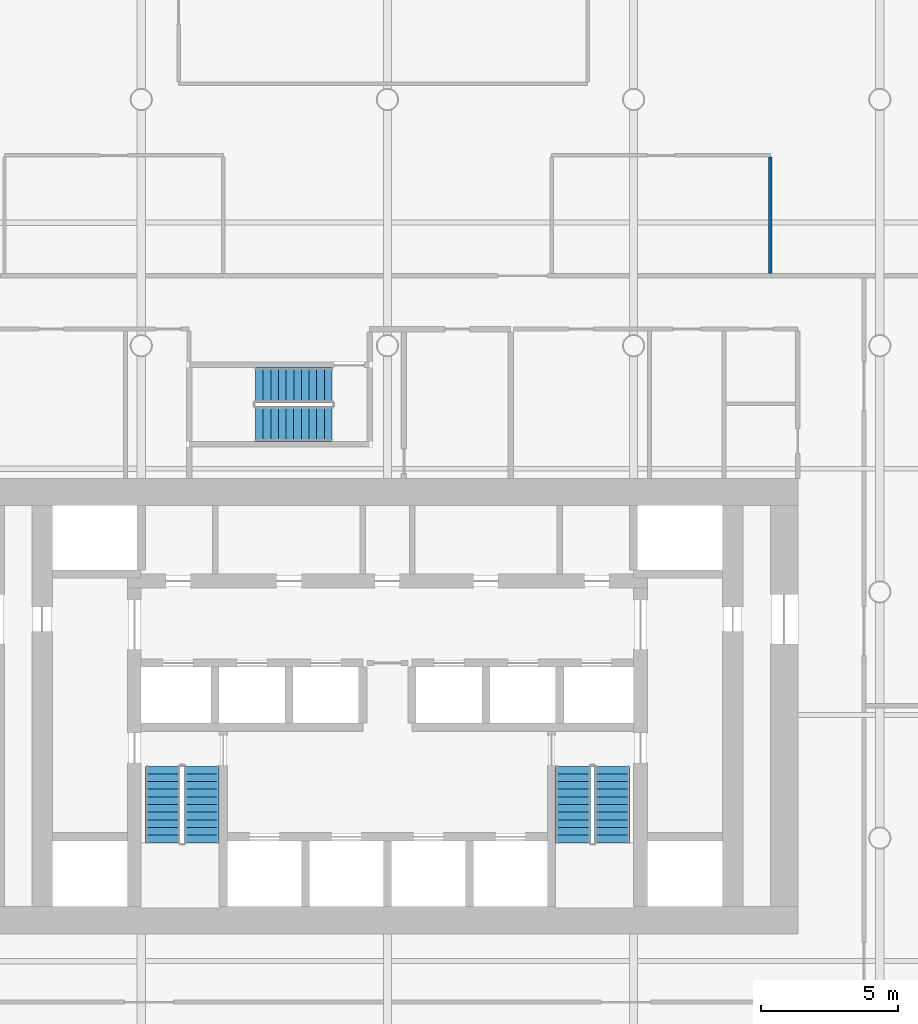
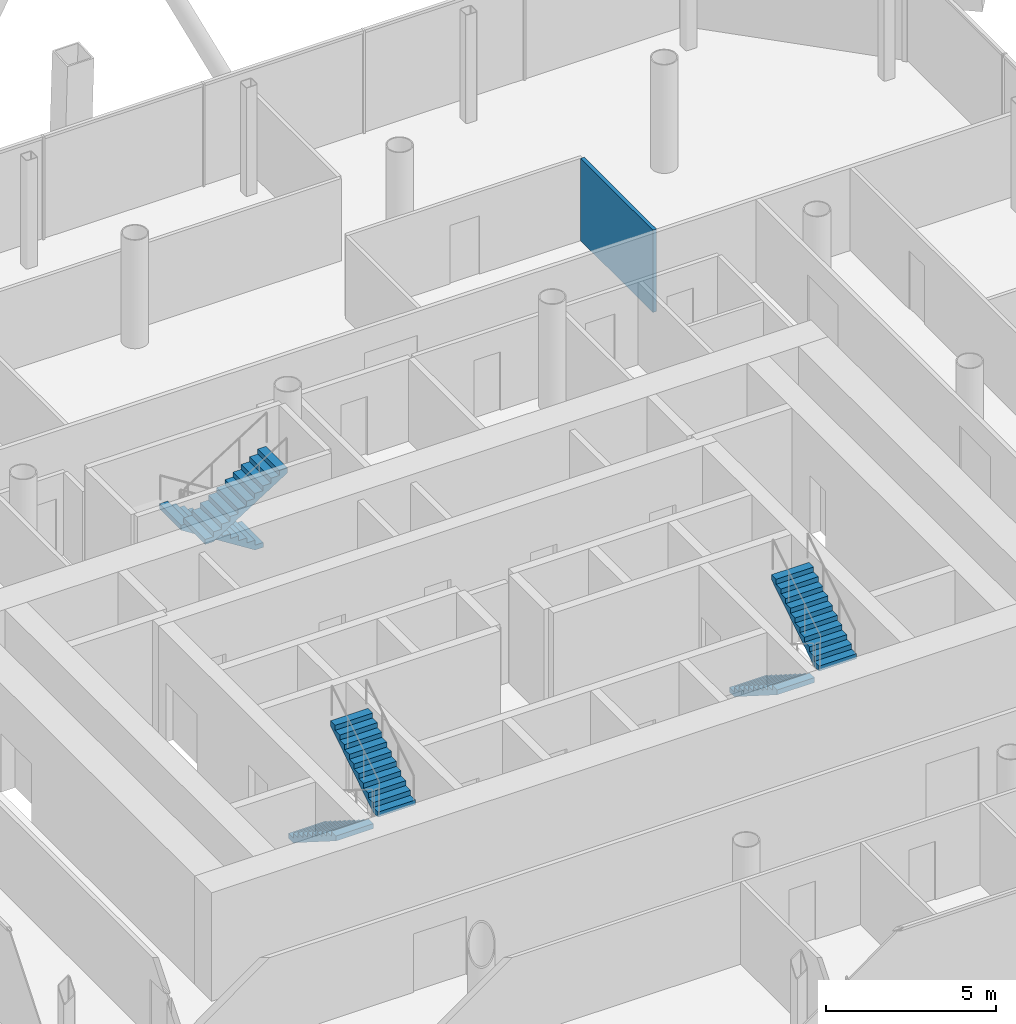
# One storey, part 17 of 22: 6 stair flights, 1 wall, 3 elements without a shape of their own.
"""IFC4 building model written with IfcOpenShell, lengths in metres."""

from ifc_helpers import new_model, si_unit, direction, frame, frame_2d, origin, place, context, subcontext, project, spatial, polyline, rectangle, outline, extrude, material, layer, layer_set, type_object, element, aggregate, save


model = new_model("IFC4")

# Units and contexts
model_context = context("Model", 3, precision=1e-05, world=origin(), true_north=direction((0.0, 1.0)))
body_context = subcontext(model_context, "Body", "Model", "MODEL_VIEW")
ifc_project = project(units=[si_unit("LENGTHUNIT", "METRE"), si_unit("AREAUNIT", "SQUARE_METRE"), si_unit("VOLUMEUNIT", "CUBIC_METRE"), si_unit("PLANEANGLEUNIT", "RADIAN"), si_unit("MASSUNIT", "GRAM", prefix="KILO")], contexts=[model_context])

# Site, building, storey
site_placement = place(None, origin())
site = spatial("IfcSite", under=ifc_project, at=site_placement, CompositionType="ELEMENT")
building_placement = place(site_placement, origin())
building = spatial("IfcBuilding", under=site, at=building_placement, Name="Tskaro Facet Tower", CompositionType="ELEMENT")
storey_placement = place(building_placement, frame((0.0, 0.0, 97.199951171875)))
storey = spatial("IfcBuildingStorey", under=building, at=storey_placement, Name="L23", CompositionType="ELEMENT", Elevation=97.199951171875)

# Wall
ifc_material_1 = material(Name="Gypsum board on steel studs", Category="steel")
ifc_layer = layer(ifc_material_1, 0.125, Name="Gypsum board on steel studs")
ifc_layer_set = layer_set([ifc_layer], Name="Gypsum board on steel studs")
wall_type = type_object("IfcWallType", Name="PART", PredefinedType="PARTITIONING", material=ifc_layer_set)
wall_placement = place(storey_placement, frame((14.0, 11.6298828125, 0.0), z_axis=(0.0, 0.0, 1.0), x_axis=(0.0, 1.0, 0.0)))
element("IfcWall", 1, at=wall_placement, inside=storey, type_object=wall_type, Name="Partition W068", PredefinedType="PARTITIONING", context=body_context, shape_type="SweptSolid", body=[
    extrude(rectangle(XDim=4.2626953125, YDim=0.125, at=frame_2d((2.13134765625, 0.0))), origin(), (0.0, 0.0, 1.0), 2.9599609375),
])

# Stair, stair flights
ifc_material_2 = material(Name="Concrete C40/50", Category="concrete")
stair_type = type_object("IfcStairType", Name="ST-TWR", PredefinedType="HALF_TURN_STAIR", material=ifc_material_2)
stair_1_placement = place(storey_placement, origin())
stair_1 = element("IfcStair", 2, at=stair_1_placement, inside=storey, type_object=stair_type, Name="L23 Exit stair 1", PredefinedType="HALF_TURN_STAIR")
stair_flight_type = type_object("IfcStairFlightType", Name="SFL-RC", PredefinedType="STRAIGHT", material=ifc_material_2)
stair_flight_1_placement = place(storey_placement, frame((-8.21240234375, -6.375, 0.0), z_axis=(0.0, 0.0, 1.0), x_axis=(0.0, -1.0, 0.0)))
stair_flight_1 = element("IfcStairFlight", 3, at=stair_flight_1_placement, type_object=stair_flight_type, Name="ST-1 flight 1", NumberOfRisers=11, NumberOfTreads=10, PredefinedType="STRAIGHT", RiserHeight=0.177272727, TreadLength=0.28, context=body_context, shape_type="SweptSolid", body=[
    extrude(outline(polyline([(0.0, 0.0), (0.0, 0.17724609375), (0.280029296875, 0.17724609375), (0.280029296875, 0.3544921875), (0.56005859375, 0.3544921875), (0.56005859375, 0.53173828125), (0.840087890625, 0.53173828125), (0.840087890625, 0.708984375), (1.1201171875, 0.708984375), (1.1201171875, 0.886474609375), (1.39990234375, 0.886474609375), (1.39990234375, 1.063720703125), (1.679931640625, 1.063720703125), (1.679931640625, 1.240966796875), (1.9599609375, 1.240966796875), (1.9599609375, 1.418212890625), (2.239990234375, 1.418212890625), (2.239990234375, 1.595458984375), (2.52001953125, 1.595458984375), (2.52001953125, 1.772705078125), (2.800048828125, 1.772705078125), (2.800048828125, 1.949951171875), (2.800048828125, 1.59521484375), (0.2802734375, 0.0), (0.0, 0.0)])), frame((0.0, 0.637451171875, 0.0), z_axis=(0.0, -1.0, 0.0), x_axis=(1.0, 0.0, 0.0)), (0.0, 0.0, 1.0), 1.27490234375),
])
stair_flight_2_placement = place(storey_placement, frame((-6.78759765625, -9.175048828125, 1.949951171875), z_axis=(0.0, 0.0, 1.0), x_axis=(0.0, 1.0, 0.0)))
stair_flight_2 = element("IfcStairFlight", 4, at=stair_flight_2_placement, type_object=stair_flight_type, Name="ST-1 flight 2", NumberOfRisers=11, NumberOfTreads=10, PredefinedType="STRAIGHT", RiserHeight=0.177272727, TreadLength=0.28, context=body_context, shape_type="SweptSolid", body=[
    extrude(outline(polyline([(0.0, 0.0), (0.0, 0.17724609375), (0.280029296875, 0.17724609375), (0.280029296875, 0.3544921875), (0.56005859375, 0.3544921875), (0.56005859375, 0.53173828125), (0.840087890625, 0.53173828125), (0.840087890625, 0.708984375), (1.1201171875, 0.708984375), (1.1201171875, 0.886474609375), (1.39990234375, 0.886474609375), (1.39990234375, 1.063720703125), (1.679931640625, 1.063720703125), (1.679931640625, 1.240966796875), (1.9599609375, 1.240966796875), (1.9599609375, 1.418212890625), (2.239990234375, 1.418212890625), (2.239990234375, 1.595458984375), (2.52001953125, 1.595458984375), (2.52001953125, 1.772705078125), (2.800048828125, 1.772705078125), (2.800048828125, 1.949951171875), (2.800048828125, 1.59521484375), (0.2802734375, 0.0), (0.0, 0.0)])), frame((0.0, 0.637451171875, 0.0), z_axis=(0.0, -1.0, 0.0), x_axis=(1.0, 0.0, 0.0)), (0.0, 0.0, 1.0), 1.27490234375),
])
aggregate(stair_1, [stair_flight_1, stair_flight_2])

stair_2_placement = place(storey_placement, origin())
stair_2 = element("IfcStair", 5, at=stair_2_placement, inside=storey, type_object=stair_type, Name="L23 Exit stair 2", PredefinedType="HALF_TURN_STAIR")
stair_flight_3_placement = place(storey_placement, frame((6.78759765625, -6.375, 0.0), z_axis=(0.0, 0.0, 1.0), x_axis=(0.0, -1.0, 0.0)))
stair_flight_3 = element("IfcStairFlight", 6, at=stair_flight_3_placement, type_object=stair_flight_type, Name="ST-2 flight 1", NumberOfRisers=11, NumberOfTreads=10, PredefinedType="STRAIGHT", RiserHeight=0.177272727, TreadLength=0.28, context=body_context, shape_type="SweptSolid", body=[
    extrude(outline(polyline([(0.0, 0.0), (0.0, 0.17724609375), (0.280029296875, 0.17724609375), (0.280029296875, 0.3544921875), (0.56005859375, 0.3544921875), (0.56005859375, 0.53173828125), (0.840087890625, 0.53173828125), (0.840087890625, 0.708984375), (1.1201171875, 0.708984375), (1.1201171875, 0.886474609375), (1.39990234375, 0.886474609375), (1.39990234375, 1.063720703125), (1.679931640625, 1.063720703125), (1.679931640625, 1.240966796875), (1.9599609375, 1.240966796875), (1.9599609375, 1.418212890625), (2.239990234375, 1.418212890625), (2.239990234375, 1.595458984375), (2.52001953125, 1.595458984375), (2.52001953125, 1.772705078125), (2.800048828125, 1.772705078125), (2.800048828125, 1.949951171875), (2.800048828125, 1.59521484375), (0.2802734375, 0.0), (0.0, 0.0)])), frame((0.0, 0.637451171875, 0.0), z_axis=(0.0, -1.0, 0.0), x_axis=(1.0, 0.0, 0.0)), (0.0, 0.0, 1.0), 1.27490234375),
])
stair_flight_4_placement = place(storey_placement, frame((8.21240234375, -9.175048828125, 1.949951171875), z_axis=(0.0, 0.0, 1.0), x_axis=(0.0, 1.0, 0.0)))
stair_flight_4 = element("IfcStairFlight", 7, at=stair_flight_4_placement, type_object=stair_flight_type, Name="ST-2 flight 2", NumberOfRisers=11, NumberOfTreads=10, PredefinedType="STRAIGHT", RiserHeight=0.177272727, TreadLength=0.28, context=body_context, shape_type="SweptSolid", body=[
    extrude(outline(polyline([(0.0, 0.0), (0.0, 0.17724609375), (0.280029296875, 0.17724609375), (0.280029296875, 0.3544921875), (0.56005859375, 0.3544921875), (0.56005859375, 0.53173828125), (0.840087890625, 0.53173828125), (0.840087890625, 0.708984375), (1.1201171875, 0.708984375), (1.1201171875, 0.886474609375), (1.39990234375, 0.886474609375), (1.39990234375, 1.063720703125), (1.679931640625, 1.063720703125), (1.679931640625, 1.240966796875), (1.9599609375, 1.240966796875), (1.9599609375, 1.418212890625), (2.239990234375, 1.418212890625), (2.239990234375, 1.595458984375), (2.52001953125, 1.595458984375), (2.52001953125, 1.772705078125), (2.800048828125, 1.772705078125), (2.800048828125, 1.949951171875), (2.800048828125, 1.59521484375), (0.2802734375, 0.0), (0.0, 0.0)])), frame((0.0, 0.637451171875, 0.0), z_axis=(0.0, -1.0, 0.0), x_axis=(1.0, 0.0, 0.0)), (0.0, 0.0, 1.0), 1.27490234375),
])
aggregate(stair_2, [stair_flight_3, stair_flight_4])

stair_3_placement = place(storey_placement, origin())
stair_3 = element("IfcStair", 8, at=stair_3_placement, inside=storey, type_object=stair_type, Name="L23 Exit stair 3", PredefinedType="HALF_TURN_STAIR")
stair_flight_5_placement = place(storey_placement, frame((-2.02490234375, 7.5625, 0.0), z_axis=(0.0, 0.0, 1.0), x_axis=(-1.0, 0.0, 0.0)))
stair_flight_5 = element("IfcStairFlight", 9, at=stair_flight_5_placement, type_object=stair_flight_type, Name="ST-3 flight 1", NumberOfRisers=11, NumberOfTreads=10, PredefinedType="STRAIGHT", RiserHeight=0.177272727, TreadLength=0.28, context=body_context, shape_type="SweptSolid", body=[
    extrude(outline(polyline([(0.0, 0.0), (0.0, 0.17724609375), (0.280029296875, 0.17724609375), (0.280029296875, 0.3544921875), (0.56005859375, 0.3544921875), (0.56005859375, 0.53173828125), (0.840087890625, 0.53173828125), (0.840087890625, 0.708984375), (1.1201171875, 0.708984375), (1.1201171875, 0.886474609375), (1.39990234375, 0.886474609375), (1.39990234375, 1.063720703125), (1.679931640625, 1.063720703125), (1.679931640625, 1.240966796875), (1.9599609375, 1.240966796875), (1.9599609375, 1.418212890625), (2.239990234375, 1.418212890625), (2.239990234375, 1.595458984375), (2.52001953125, 1.595458984375), (2.52001953125, 1.772705078125), (2.800048828125, 1.772705078125), (2.800048828125, 1.949951171875), (2.800048828125, 1.59521484375), (0.2802734375, 0.0), (0.0, 0.0)])), frame((0.0, 0.637451171875, 0.0), z_axis=(0.0, -1.0, 0.0), x_axis=(1.0, 0.0, 0.0)), (0.0, 0.0, 1.0), 1.27490234375),
])
stair_flight_6_placement = place(storey_placement, frame((-4.824951171875, 6.137451171875, 1.949951171875), z_axis=(0.0, 0.0, 1.0), x_axis=(1.0, 0.0, 0.0)))
stair_flight_6 = element("IfcStairFlight", 10, at=stair_flight_6_placement, type_object=stair_flight_type, Name="ST-3 flight 2", NumberOfRisers=11, NumberOfTreads=10, PredefinedType="STRAIGHT", RiserHeight=0.177272727, TreadLength=0.28, context=body_context, shape_type="SweptSolid", body=[
    extrude(outline(polyline([(0.0, 0.0), (0.0, 0.17724609375), (0.280029296875, 0.17724609375), (0.280029296875, 0.3544921875), (0.56005859375, 0.3544921875), (0.56005859375, 0.53173828125), (0.840087890625, 0.53173828125), (0.840087890625, 0.708984375), (1.1201171875, 0.708984375), (1.1201171875, 0.886474609375), (1.39990234375, 0.886474609375), (1.39990234375, 1.063720703125), (1.679931640625, 1.063720703125), (1.679931640625, 1.240966796875), (1.9599609375, 1.240966796875), (1.9599609375, 1.418212890625), (2.239990234375, 1.418212890625), (2.239990234375, 1.595458984375), (2.52001953125, 1.595458984375), (2.52001953125, 1.772705078125), (2.800048828125, 1.772705078125), (2.800048828125, 1.949951171875), (2.800048828125, 1.59521484375), (0.2802734375, 0.0), (0.0, 0.0)])), frame((0.0, 0.637451171875, 0.0), z_axis=(0.0, -1.0, 0.0), x_axis=(1.0, 0.0, 0.0)), (0.0, 0.0, 1.0), 1.27490234375),
])
aggregate(stair_3, [stair_flight_5, stair_flight_6])

save(model, "model.ifc")
